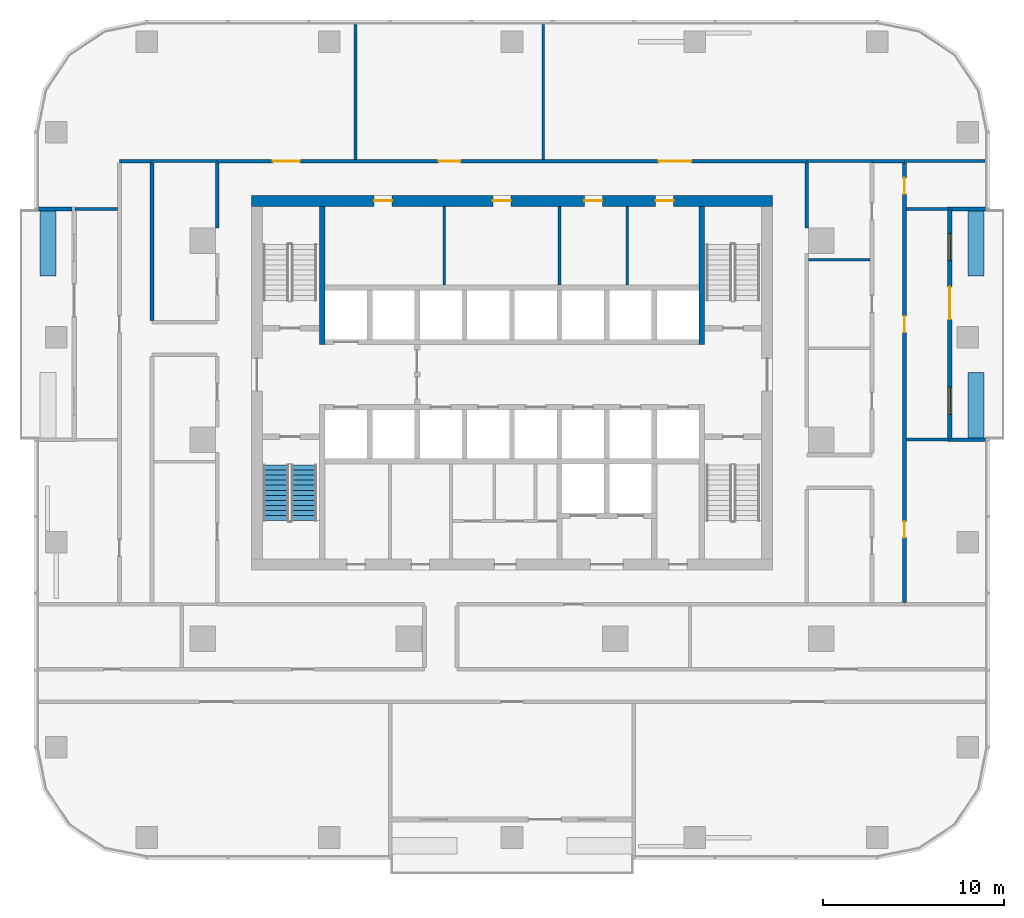
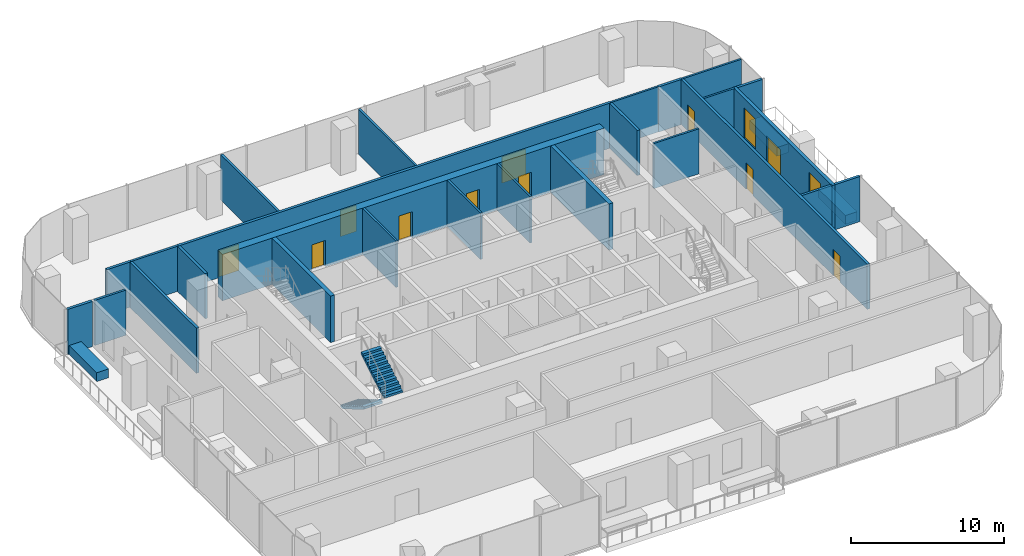
# One storey, part 10 of 15: 29 walls, 11 doors, 2 stair flights, 2 windows, 13 openings, 1 element without a shape of its own.
"""IFC4 building model written with IfcOpenShell, lengths in metres."""

from ifc_helpers import new_model, si_unit, direction, frame, frame_2d, origin, place, context, subcontext, project, spatial, polyline, rectangle, outline, extrude, material, layer, layer_set, type_object, element, fill, aggregate, save


model = new_model("IFC4")

# Units and contexts
model_context = context("Model", 3, precision=1e-05, world=origin(), true_north=direction((0.0, 1.0)))
body_context = subcontext(model_context, "Body", "Model", "MODEL_VIEW")
ifc_project = project(units=[si_unit("LENGTHUNIT", "METRE"), si_unit("AREAUNIT", "SQUARE_METRE"), si_unit("VOLUMEUNIT", "CUBIC_METRE"), si_unit("PLANEANGLEUNIT", "RADIAN"), si_unit("MASSUNIT", "GRAM", prefix="KILO")], contexts=[model_context])

# Site, building, storey
site_placement = place(None, origin())
site = spatial("IfcSite", under=ifc_project, at=site_placement, CompositionType="ELEMENT")
building_placement = place(site_placement, origin())
building = spatial("IfcBuilding", under=site, at=building_placement, Name="Mopane Tessera Tower", CompositionType="ELEMENT")
storey_placement = place(building_placement, frame((0.0, 0.0, 177.0)))
storey = spatial("IfcBuildingStorey", under=building, at=storey_placement, Name="L36", CompositionType="ELEMENT", Elevation=177.0)

# Walls
ifc_material_1 = material(Name="Fire-rated gypsum board partition")
ifc_layer_1 = layer(ifc_material_1, 0.14990234375)
ifc_layer_set_1 = layer_set([ifc_layer_1], Name="Fire-rated gypsum board partition")
wall_type_1 = type_object("IfcWallType", Name="Core room partition 150 mm", PredefinedType="PARTITIONING", material=ifc_layer_set_1)
for number, where, z_axis, x_axis, name in (
    (1, (-3.75, 8.550048828125, 0.0), (0.0, 0.0, 1.0), (0.0, 1.0, 0.0), "L36 Room partition"),
    (2, (2.625, 8.550048828125, 0.0), (0.0, 0.0, 1.0), (0.0, 1.0, 0.0), "L36 Room partition"),
    (3, (6.375, 8.550048828125, 0.0), (0.0, 0.0, 1.0), (0.0, 1.0, 0.0), "L36 Room partition"),
):
    element("IfcWall", number, at=place(storey_placement, frame(where, z_axis=z_axis, x_axis=x_axis)), inside=storey, type_object=wall_type_1, Name=name, PredefinedType="PARTITIONING", context=body_context, shape_type="SweptSolid", body=[
        extrude(rectangle(XDim=4.349853515625, YDim=0.14990234375, at=frame_2d((2.1748046875, 0.0))), origin(), (0.0, 0.0, 1.0), 3.699951171875),
    ])

# Wall, openings, doors
ifc_material_2 = material(Name="Concrete C70/85", Category="concrete")
ifc_layer_2 = layer(ifc_material_2, 0.60009765625)
ifc_layer_set_2 = layer_set([ifc_layer_2], Name="Concrete C70/85")
wall_type_2 = type_object("IfcWallType", Name="Core shear wall 600 mm", PredefinedType="SHEAR", material=ifc_layer_set_2)
wall_1_placement = place(storey_placement, frame((-14.39990234375, 13.199951171875, 0.0), z_axis=(0.0, 0.0, 1.0), x_axis=(1.0, 0.0, 0.0)))
wall_1 = element("IfcWall", 4, at=wall_1_placement, inside=storey, type_object=wall_type_2, Name="L36 Core wall north", PredefinedType="SHEAR", context=body_context, shape_type="SweptSolid", body=[
    extrude(rectangle(XDim=28.7998046875, YDim=0.60009765625, at=frame_2d((14.39990234375, 0.0))), origin(), (0.0, 0.0, 1.0), 3.699951171875),
])
opening_1_placement = place(wall_1_placement, frame((6.77490234375, 0.0, 0.0)))
opening_1 = element("IfcOpeningElement", 5, at=opening_1_placement, cuts=wall_1, Name="Opening RD1", PredefinedType="OPENING", context=body_context, shape_type="SweptSolid", body=[
    extrude(rectangle(XDim=1.0, YDim=2.10009765625, at=frame_2d((0.5, 1.050048828125))), frame((0.0, 0.31201171875, 0.0), z_axis=(0.0, -1.0, 0.0), x_axis=(1.0, 0.0, 0.0)), (0.0, 0.0, 1.0), 0.6240234375),
])
opening_2_placement = place(wall_1_placement, frame((13.33740234375, 0.0, 0.0)))
opening_2 = element("IfcOpeningElement", 6, at=opening_2_placement, cuts=wall_1, Name="Opening RD1", PredefinedType="OPENING", context=body_context, shape_type="SweptSolid", body=[
    extrude(rectangle(XDim=1.0, YDim=2.10009765625, at=frame_2d((0.5, 1.050048828125))), frame((0.0, 0.31201171875, 0.0), z_axis=(0.0, -1.0, 0.0), x_axis=(1.0, 0.0, 0.0)), (0.0, 0.0, 1.0), 0.6240234375),
])
opening_3_placement = place(wall_1_placement, frame((18.39990234375, 0.0, 0.0)))
opening_3 = element("IfcOpeningElement", 7, at=opening_3_placement, cuts=wall_1, Name="Opening RD1", PredefinedType="OPENING", context=body_context, shape_type="SweptSolid", body=[
    extrude(rectangle(XDim=1.0, YDim=2.10009765625, at=frame_2d((0.5, 1.050048828125))), frame((0.0, 0.31201171875, 0.0), z_axis=(0.0, -1.0, 0.0), x_axis=(1.0, 0.0, 0.0)), (0.0, 0.0, 1.0), 0.6240234375),
])
opening_4_placement = place(wall_1_placement, frame((22.33740234375, 0.0, 0.0)))
opening_4 = element("IfcOpeningElement", 8, at=opening_4_placement, cuts=wall_1, Name="Opening RD1", PredefinedType="OPENING", context=body_context, shape_type="SweptSolid", body=[
    extrude(rectangle(XDim=1.0, YDim=2.10009765625, at=frame_2d((0.5, 1.050048828125))), frame((0.0, 0.31201171875, 0.0), z_axis=(0.0, -1.0, 0.0), x_axis=(1.0, 0.0, 0.0)), (0.0, 0.0, 1.0), 0.6240234375),
])
ifc_material_3 = material(Name="Timber door", Category="wood")
door_type_1 = type_object("IfcDoorType", Name="Core room door 1000 x 2100", OperationType="SINGLE_SWING_LEFT", PredefinedType="DOOR", material=ifc_material_3)
door_1_placement = place(opening_1_placement, origin())
door_1 = element("IfcDoor", 9, at=door_1_placement, inside=storey, type_object=door_type_1, Name="L36 Room door", OperationType="SINGLE_SWING_LEFT", OverallHeight=2.10009765625, OverallWidth=1.0, PredefinedType="DOOR", context=body_context, shape_type="SweptSolid", body=[
    extrude(rectangle(XDim=1.0, YDim=2.10009765625, at=frame_2d((0.5, 1.050048828125))), frame((0.0, 0.02490234375, 0.0), z_axis=(0.0, -1.0, 0.0), x_axis=(1.0, 0.0, 0.0)), (0.0, 0.0, 1.0), 0.050048828125),
])
fill(opening_1, door_1)
door_2_placement = place(opening_2_placement, origin())
door_2 = element("IfcDoor", 10, at=door_2_placement, inside=storey, type_object=door_type_1, Name="L36 Room door", OperationType="SINGLE_SWING_LEFT", OverallHeight=2.10009765625, OverallWidth=1.0, PredefinedType="DOOR", context=body_context, shape_type="SweptSolid", body=[
    extrude(rectangle(XDim=1.0, YDim=2.10009765625, at=frame_2d((0.5, 1.050048828125))), frame((0.0, 0.02490234375, 0.0), z_axis=(0.0, -1.0, 0.0), x_axis=(1.0, 0.0, 0.0)), (0.0, 0.0, 1.0), 0.050048828125),
])
fill(opening_2, door_2)
door_3_placement = place(opening_3_placement, origin())
door_3 = element("IfcDoor", 11, at=door_3_placement, inside=storey, type_object=door_type_1, Name="L36 Room door", OperationType="SINGLE_SWING_LEFT", OverallHeight=2.10009765625, OverallWidth=1.0, PredefinedType="DOOR", context=body_context, shape_type="SweptSolid", body=[
    extrude(rectangle(XDim=1.0, YDim=2.10009765625, at=frame_2d((0.5, 1.050048828125))), frame((0.0, 0.02490234375, 0.0), z_axis=(0.0, -1.0, 0.0), x_axis=(1.0, 0.0, 0.0)), (0.0, 0.0, 1.0), 0.050048828125),
])
fill(opening_3, door_3)
door_4_placement = place(opening_4_placement, origin())
door_4 = element("IfcDoor", 12, at=door_4_placement, inside=storey, type_object=door_type_1, Name="L36 Room door", OperationType="SINGLE_SWING_LEFT", OverallHeight=2.10009765625, OverallWidth=1.0, PredefinedType="DOOR", context=body_context, shape_type="SweptSolid", body=[
    extrude(rectangle(XDim=1.0, YDim=2.10009765625, at=frame_2d((0.5, 1.050048828125))), frame((0.0, 0.02490234375, 0.0), z_axis=(0.0, -1.0, 0.0), x_axis=(1.0, 0.0, 0.0)), (0.0, 0.0, 1.0), 0.050048828125),
])
fill(opening_4, door_4)

# Walls
ifc_material_4 = material(Name="Concrete C60/75", Category="concrete")
ifc_layer_3 = layer(ifc_material_4, 0.300048828125)
ifc_layer_set_3 = layer_set([ifc_layer_3], Name="Concrete C60/75")
wall_type_3 = type_object("IfcWallType", Name="Core spine wall 300 mm", PredefinedType="SHEAR", material=ifc_layer_set_3)
for number, where, z_axis, x_axis, name in (
    (13, (-10.5, 5.25, 0.0), (0.0, 0.0, 1.0), (0.0, 1.0, 0.0), "L36 Core spine wall"),
    (14, (10.5, 5.25, 0.0), (0.0, 0.0, 1.0), (0.0, 1.0, 0.0), "L36 Core spine wall"),
):
    element("IfcWall", number, at=place(storey_placement, frame(where, z_axis=z_axis, x_axis=x_axis)), inside=storey, type_object=wall_type_3, Name=name, PredefinedType="SHEAR", context=body_context, shape_type="SweptSolid", body=[
        extrude(rectangle(XDim=7.64990234375, YDim=0.300048828125, at=frame_2d((3.824951171875, 0.0))), origin(), (0.0, 0.0, 1.0), 3.699951171875),
    ])
ifc_material_5 = material(Name="Gypsum board on staggered steel studs, double layer each face, acoustic mineral wool infill", Category="steel")
ifc_layer_4 = layer(ifc_material_5, 0.175048828125)
ifc_layer_set_4 = layer_set([ifc_layer_4], Name="Gypsum board on staggered steel studs, double layer each face, acoustic mineral wool infill")
wall_type_4 = type_object("IfcWallType", Name="Gypsum board acoustic partition 175, rated EI 60", PredefinedType="PARTITIONING", material=ifc_layer_set_4)
for number, where, z_axis, x_axis, name in (
    (15, (21.800048828125, 0.0, 0.0), (0.0, 0.0, 1.0), (1.0, 0.0, 0.0), "Partition L36:016"),
    (16, (-24.14990234375, 12.75, 0.0), (0.0, 0.0, 1.0), (1.0, 0.0, 0.0), "Partition L36:022"),
):
    element("IfcWall", number, at=place(storey_placement, frame(where, z_axis=z_axis, x_axis=x_axis)), inside=storey, type_object=wall_type_4, Name=name, PredefinedType="PARTITIONING", context=body_context, shape_type="SweptSolid", body=[
        extrude(rectangle(XDim=2.349853515625, YDim=0.175048828125, at=frame_2d((1.1748046875, 0.0))), origin(), (0.0, 0.0, 1.0), 3.60009765625),
    ])
wall_2_placement = place(storey_placement, frame((-19.89990234375, 15.39990234375, 0.0), z_axis=(0.0, 0.0, 1.0), x_axis=(1.0, 0.0, 0.0)))
element("IfcWall", 17, at=wall_2_placement, inside=storey, type_object=wall_type_4, Name="Partition L36:025", PredefinedType="PARTITIONING", context=body_context, shape_type="SweptSolid", body=[
    extrude(rectangle(XDim=3.599853515625, YDim=0.175048828125, at=frame_2d((1.7998046875, 0.0))), origin(), (0.0, 0.0, 1.0), 3.60009765625),
])
wall_3_placement = place(storey_placement, frame((-8.64990234375, 15.5, 0.0), z_axis=(0.0, 0.0, 1.0), x_axis=(0.0, 1.0, 0.0)))
element("IfcWall", 18, at=wall_3_placement, inside=storey, type_object=wall_type_4, Name="Partition L36:037", PredefinedType="PARTITIONING", context=body_context, shape_type="SweptSolid", body=[
    extrude(rectangle(XDim=7.449951171875, YDim=0.175048828125, at=frame_2d((3.72509765625, 0.0))), origin(), (0.0, 0.0, 1.0), 3.60009765625),
])
ifc_material_6 = material(Name="Gypsum board on steel studs, two layers each face, mineral wool infill", Category="steel")
ifc_layer_5 = layer(ifc_material_6, 0.199951171875)
ifc_layer_set_5 = layer_set([ifc_layer_5], Name="Gypsum board on steel studs, two layers each face, mineral wool infill")
wall_type_5 = type_object("IfcWallType", Name="Gypsum board corridor wall 200, rated EI 60", PredefinedType="PARTITIONING", material=ifc_layer_set_5)
wall_4_placement = place(storey_placement, frame((-21.699951171875, 15.39990234375, 0.0), z_axis=(0.0, 0.0, 1.0), x_axis=(1.0, 0.0, 0.0)))
element("IfcWall", 19, at=wall_4_placement, inside=storey, type_object=wall_type_5, Name="Partition L36:026", PredefinedType="PARTITIONING", context=body_context, shape_type="SweptSolid", body=[
    extrude(rectangle(XDim=1.800048828125, YDim=0.199951171875, at=frame_2d((0.89990234375, 0.0))), origin(), (0.0, 0.0, 1.0), 3.60009765625),
])

# Wall, openings, doors
wall_5_placement = place(storey_placement, frame((-16.300048828125, 15.39990234375, 0.0), z_axis=(0.0, 0.0, 1.0), x_axis=(1.0, 0.0, 0.0)))
wall_5 = element("IfcWall", 20, at=wall_5_placement, inside=storey, type_object=wall_type_5, Name="Partition L36:027", PredefinedType="PARTITIONING", context=body_context, shape_type="SweptSolid", body=[
    extrude(rectangle(XDim=32.60009765625, YDim=0.199951171875, at=frame_2d((16.300048828125, 0.0))), origin(), (0.0, 0.0, 1.0), 3.60009765625),
])
opening_5_placement = place(wall_5_placement, frame((24.4150390625, 0.0, 0.0)))
opening_5 = element("IfcOpeningElement", 21, at=opening_5_placement, cuts=wall_5, Name="Opening L36-15", PredefinedType="OPENING", context=body_context, shape_type="SweptSolid", body=[
    extrude(rectangle(XDim=1.800048828125, YDim=2.10009765625, at=frame_2d((0.89990234375, 1.050048828125))), frame((0.0, 0.112060546875, 0.0), z_axis=(0.0, -1.0, 0.0), x_axis=(1.0, 0.0, 0.0)), (0.0, 0.0, 1.0), 0.223876953125),
])
opening_6_placement = place(wall_5_placement, frame((12.239990234375, 0.0, 0.0)))
opening_6 = element("IfcOpeningElement", 22, at=opening_6_placement, cuts=wall_5, Name="Opening L36-20", PredefinedType="OPENING", context=body_context, shape_type="SweptSolid", body=[
    extrude(rectangle(XDim=1.199951171875, YDim=2.10009765625, at=frame_2d((0.60009765625, 1.050048828125))), frame((0.0, 0.112060546875, 0.0), z_axis=(0.0, -1.0, 0.0), x_axis=(1.0, 0.0, 0.0)), (0.0, 0.0, 1.0), 0.223876953125),
])
opening_7_placement = place(wall_5_placement, frame((3.074951171875, 0.0, 0.0)))
opening_7 = element("IfcOpeningElement", 23, at=opening_7_placement, cuts=wall_5, Name="Opening L36-21", PredefinedType="OPENING", context=body_context, shape_type="SweptSolid", body=[
    extrude(rectangle(XDim=1.5, YDim=2.10009765625, at=frame_2d((0.75, 1.050048828125))), frame((0.0, 0.112060546875, 0.0), z_axis=(0.0, -1.0, 0.0), x_axis=(1.0, 0.0, 0.0)), (0.0, 0.0, 1.0), 0.223876953125),
])
ifc_material_7 = material(Name="Timber veneered steel-framed fire door", Category="steel")
door_type_2 = type_object("IfcDoorType", Name="Fire door FD60 1200 x 2100", OperationType="SINGLE_SWING_LEFT", PredefinedType="DOOR", material=ifc_material_7)
door_5_placement = place(opening_6_placement, origin())
door_5 = element("IfcDoor", 24, at=door_5_placement, inside=storey, type_object=door_type_2, Name="Door L36-20", ObjectType="D15A", OperationType="SINGLE_SWING_LEFT", OverallHeight=2.10009765625, OverallWidth=1.199951171875, PredefinedType="DOOR", context=body_context, shape_type="SweptSolid", body=[
    extrude(rectangle(XDim=1.199951171875, YDim=2.10009765625, at=frame_2d((0.60009765625, 1.050048828125))), frame((0.0, 0.02490234375, 0.0), z_axis=(0.0, -1.0, 0.0), x_axis=(1.0, 0.0, 0.0)), (0.0, 0.0, 1.0), 0.050048828125),
])
fill(opening_6, door_5)
ifc_material_8 = material(Name="Timber veneered steel-framed fire door", Category="steel")
door_type_3 = type_object("IfcDoorType", Name="Fire door pair FD60 1500 x 2100", OperationType="DOUBLE_DOOR_SINGLE_SWING", PredefinedType="DOOR", material=ifc_material_8)
door_6_placement = place(opening_7_placement, origin())
door_6 = element("IfcDoor", 25, at=door_6_placement, inside=storey, type_object=door_type_3, Name="Door L36-21", ObjectType="D17A", OperationType="DOUBLE_DOOR_SINGLE_SWING", OverallHeight=2.10009765625, OverallWidth=1.5, PredefinedType="DOOR", context=body_context, shape_type="SweptSolid", body=[
    extrude(rectangle(XDim=1.5, YDim=2.10009765625, at=frame_2d((0.75, 1.050048828125))), frame((0.0, 0.02490234375, 0.0), z_axis=(0.0, -1.0, 0.0), x_axis=(1.0, 0.0, 0.0)), (0.0, 0.0, 1.0), 0.050048828125),
])
fill(opening_7, door_6)
ifc_material_9 = material(Name="Timber veneered steel-framed fire door", Category="steel")
door_type_4 = type_object("IfcDoorType", Name="Fire door pair FD60 1800 x 2100", OperationType="DOUBLE_DOOR_SINGLE_SWING", PredefinedType="DOOR", material=ifc_material_9)
door_7_placement = place(opening_5_placement, origin())
door_7 = element("IfcDoor", 26, at=door_7_placement, inside=storey, type_object=door_type_4, Name="Door L36-15", ObjectType="D20A", OperationType="DOUBLE_DOOR_SINGLE_SWING", OverallHeight=2.10009765625, OverallWidth=1.800048828125, PredefinedType="DOOR", context=body_context, shape_type="SweptSolid", body=[
    extrude(rectangle(XDim=1.800048828125, YDim=2.10009765625, at=frame_2d((0.89990234375, 1.050048828125))), frame((0.0, 0.02490234375, 0.0), z_axis=(0.0, -1.0, 0.0), x_axis=(1.0, 0.0, 0.0)), (0.0, 0.0, 1.0), 0.050048828125),
])
fill(opening_5, door_7)

# Walls
wall_6_placement = place(storey_placement, frame((19.89990234375, 15.39990234375, 0.0), z_axis=(0.0, 0.0, 1.0), x_axis=(1.0, 0.0, 0.0)))
element("IfcWall", 27, at=wall_6_placement, inside=storey, type_object=wall_type_5, Name="Partition L36:028", PredefinedType="PARTITIONING", context=body_context, shape_type="SweptSolid", body=[
    extrude(rectangle(XDim=1.800048828125, YDim=0.199951171875, at=frame_2d((0.89990234375, 0.0))), origin(), (0.0, 0.0, 1.0), 3.60009765625),
])
wall_7_placement = place(storey_placement, frame((-19.89990234375, 6.60009765625, 0.0), z_axis=(0.0, 0.0, 1.0), x_axis=(0.0, 1.0, 0.0)))
element("IfcWall", 28, at=wall_7_placement, inside=storey, type_object=wall_type_5, Name="Partition L36:031", PredefinedType="PARTITIONING", context=body_context, shape_type="SweptSolid", body=[
    extrude(rectangle(XDim=8.699951171875, YDim=0.199951171875, at=frame_2d((4.35009765625, 0.0))), origin(), (0.0, 0.0, 1.0), 3.60009765625),
])
for number, where, z_axis, x_axis, name in (
    (29, (-16.300048828125, 11.699951171875, 0.0), (0.0, 0.0, 1.0), (0.0, 1.0, 0.0), "Partition L36:036"),
    (30, (16.300048828125, 11.699951171875, 0.0), (0.0, 0.0, 1.0), (0.0, 1.0, 0.0), "Partition L36:046"),
):
    element("IfcWall", number, at=place(storey_placement, frame(where, z_axis=z_axis, x_axis=x_axis)), inside=storey, type_object=wall_type_5, Name=name, PredefinedType="PARTITIONING", context=body_context, shape_type="SweptSolid", body=[
        extrude(rectangle(XDim=3.60009765625, YDim=0.199951171875, at=frame_2d((1.800048828125, 0.0))), origin(), (0.0, 0.0, 1.0), 3.60009765625),
    ])

# Wall, openings, doors
wall_8_placement = place(storey_placement, frame((21.699951171875, -9.0, 0.0), z_axis=(0.0, 0.0, 1.0), x_axis=(0.0, 1.0, 0.0)))
wall_8 = element("IfcWall", 31, at=wall_8_placement, inside=storey, type_object=wall_type_5, Name="Partition L36:049", PredefinedType="PARTITIONING", context=body_context, shape_type="SweptSolid", body=[
    extrude(rectangle(XDim=24.300048828125, YDim=0.199951171875, at=frame_2d((12.14990234375, 0.0))), origin(), (0.0, 0.0, 1.0), 3.60009765625),
])
opening_8_placement = place(wall_8_placement, frame((3.58251953125, 0.0, 0.0)))
opening_8 = element("IfcOpeningElement", 32, at=opening_8_placement, cuts=wall_8, Name="Opening L36-02", PredefinedType="OPENING", context=body_context, shape_type="SweptSolid", body=[
    extrude(rectangle(XDim=0.89990234375, YDim=2.10009765625, at=frame_2d((0.449951171875, 1.050048828125))), frame((0.0, 0.112060546875, 0.0), z_axis=(0.0, -1.0, 0.0), x_axis=(1.0, 0.0, 0.0)), (0.0, 0.0, 1.0), 0.223876953125),
])
opening_9_placement = place(wall_8_placement, frame((22.574951171875, 0.0, 0.0)))
opening_9 = element("IfcOpeningElement", 33, at=opening_9_placement, cuts=wall_8, Name="Opening L36-03", PredefinedType="OPENING", context=body_context, shape_type="SweptSolid", body=[
    extrude(rectangle(XDim=0.89990234375, YDim=2.10009765625, at=frame_2d((0.449951171875, 1.050048828125))), frame((0.0, 0.112060546875, 0.0), z_axis=(0.0, -1.0, 0.0), x_axis=(1.0, 0.0, 0.0)), (0.0, 0.0, 1.0), 0.223876953125),
])
opening_10_placement = place(wall_8_placement, frame((14.925048828125, 0.0, 0.0)))
opening_10 = element("IfcOpeningElement", 34, at=opening_10_placement, cuts=wall_8, Name="Opening L36-09", PredefinedType="OPENING", context=body_context, shape_type="SweptSolid", body=[
    extrude(rectangle(XDim=0.89990234375, YDim=2.10009765625, at=frame_2d((0.449951171875, 1.050048828125))), frame((0.0, 0.112060546875, 0.0), z_axis=(0.0, -1.0, 0.0), x_axis=(1.0, 0.0, 0.0)), (0.0, 0.0, 1.0), 0.223876953125),
])
ifc_material_10 = material(Name="Timber veneered steel-framed fire door", Category="steel")
door_type_5 = type_object("IfcDoorType", Name="Fire door FD60 900 x 2100", OperationType="SINGLE_SWING_LEFT", PredefinedType="DOOR", material=ifc_material_10)
door_8_placement = place(opening_8_placement, origin())
door_8 = element("IfcDoor", 35, at=door_8_placement, inside=storey, type_object=door_type_5, Name="Door L36-02", ObjectType="D10A", OperationType="SINGLE_SWING_RIGHT", OverallHeight=2.10009765625, OverallWidth=0.89990234375, PredefinedType="DOOR", context=body_context, shape_type="SweptSolid", body=[
    extrude(rectangle(XDim=0.89990234375, YDim=2.10009765625, at=frame_2d((0.449951171875, 1.050048828125))), frame((0.0, 0.02490234375, 0.0), z_axis=(0.0, -1.0, 0.0), x_axis=(1.0, 0.0, 0.0)), (0.0, 0.0, 1.0), 0.050048828125),
])
fill(opening_8, door_8)
door_9_placement = place(opening_9_placement, origin())
door_9 = element("IfcDoor", 36, at=door_9_placement, inside=storey, type_object=door_type_5, Name="Door L36-03", ObjectType="D10A", OperationType="SINGLE_SWING_LEFT", OverallHeight=2.10009765625, OverallWidth=0.89990234375, PredefinedType="DOOR", context=body_context, shape_type="SweptSolid", body=[
    extrude(rectangle(XDim=0.89990234375, YDim=2.10009765625, at=frame_2d((0.449951171875, 1.050048828125))), frame((0.0, 0.02490234375, 0.0), z_axis=(0.0, -1.0, 0.0), x_axis=(1.0, 0.0, 0.0)), (0.0, 0.0, 1.0), 0.050048828125),
])
fill(opening_9, door_9)
door_10_placement = place(opening_10_placement, origin())
door_10 = element("IfcDoor", 37, at=door_10_placement, inside=storey, type_object=door_type_5, Name="Door L36-09", ObjectType="D10A", OperationType="SINGLE_SWING_LEFT", OverallHeight=2.10009765625, OverallWidth=0.89990234375, PredefinedType="DOOR", context=body_context, shape_type="SweptSolid", body=[
    extrude(rectangle(XDim=0.89990234375, YDim=2.10009765625, at=frame_2d((0.449951171875, 1.050048828125))), frame((0.0, 0.02490234375, 0.0), z_axis=(0.0, -1.0, 0.0), x_axis=(1.0, 0.0, 0.0)), (0.0, 0.0, 1.0), 0.050048828125),
])
fill(opening_10, door_10)

# Walls
ifc_material_11 = material(Name="Gypsum board on steel studs, mineral wool infill", Category="steel")
ifc_layer_6 = layer(ifc_material_11, 0.14990234375)
ifc_layer_set_6 = layer_set([ifc_layer_6], Name="Gypsum board on steel studs, mineral wool infill")
wall_type_6 = type_object("IfcWallType", Name="Gypsum board partition 150, rated EI 60", PredefinedType="PARTITIONING", material=ifc_layer_set_6)
wall_9_placement = place(storey_placement, frame((16.39990234375, 9.945068359375, 0.0), z_axis=(0.0, 0.0, 1.0), x_axis=(1.0, 0.0, 0.0)))
element("IfcWall", 38, at=wall_9_placement, inside=storey, type_object=wall_type_6, Name="Partition L36:020", PredefinedType="PARTITIONING", context=body_context, shape_type="SweptSolid", body=[
    extrude(rectangle(XDim=3.400146484375, YDim=0.14990234375, at=frame_2d((1.7001953125, 0.0))), origin(), (0.0, 0.0, 1.0), 3.60009765625),
])
wall_10_placement = place(storey_placement, frame((21.800048828125, 12.75, 0.0), z_axis=(0.0, 0.0, 1.0), x_axis=(1.0, 0.0, 0.0)))
element("IfcWall", 39, at=wall_10_placement, inside=storey, type_object=wall_type_6, Name="Partition L36:021", PredefinedType="PARTITIONING", context=body_context, shape_type="SweptSolid", body=[
    extrude(rectangle(XDim=2.349853515625, YDim=0.14990234375, at=frame_2d((1.1748046875, 0.0))), origin(), (0.0, 0.0, 1.0), 3.60009765625),
])
wall_11_placement = place(storey_placement, frame((16.300048828125, 15.39990234375, 0.0), z_axis=(0.0, 0.0, 1.0), x_axis=(1.0, 0.0, 0.0)))
element("IfcWall", 40, at=wall_11_placement, inside=storey, type_object=wall_type_6, Name="Partition L36:023", PredefinedType="PARTITIONING", context=body_context, shape_type="SweptSolid", body=[
    extrude(rectangle(XDim=3.599853515625, YDim=0.14990234375, at=frame_2d((1.7998046875, 0.0))), origin(), (0.0, 0.0, 1.0), 3.60009765625),
])
wall_12_placement = place(storey_placement, frame((21.699951171875, 15.39990234375, 0.0), z_axis=(0.0, 0.0, 1.0), x_axis=(1.0, 0.0, 0.0)))
element("IfcWall", 41, at=wall_12_placement, inside=storey, type_object=wall_type_6, Name="Partition L36:024", PredefinedType="PARTITIONING", context=body_context, shape_type="SweptSolid", body=[
    extrude(rectangle(XDim=4.449951171875, YDim=0.14990234375, at=frame_2d((2.22509765625, 0.0))), origin(), (0.0, 0.0, 1.0), 3.60009765625),
])
wall_13_placement = place(storey_placement, frame((1.72998046875, 15.5, 0.0), z_axis=(0.0, 0.0, 1.0), x_axis=(0.0, 1.0, 0.0)))
element("IfcWall", 42, at=wall_13_placement, inside=storey, type_object=wall_type_6, Name="Partition L36:041", PredefinedType="PARTITIONING", context=body_context, shape_type="SweptSolid", body=[
    extrude(rectangle(XDim=7.449951171875, YDim=0.14990234375, at=frame_2d((3.72509765625, 0.0))), origin(), (0.0, 0.0, 1.0), 3.60009765625),
])
ifc_material_12 = material(Name="Reinforced concrete C32/40 with waterproofing", Category="concrete")
ifc_layer_7 = layer(ifc_material_12, 0.89990234375)
ifc_layer_set_7 = layer_set([ifc_layer_7], Name="Reinforced concrete C32/40 with waterproofing")
wall_type_7 = type_object("IfcWallType", Name="Planter trough 3600 x 900", PredefinedType="STANDARD", material=ifc_layer_set_7)
for number, where, z_axis, x_axis, name in (
    (43, (-25.64990234375, 12.64990234375, 0.0), (0.0, 0.0, 1.0), (0.0, -1.0, 0.0), "e:nw:L36:N1:pl0"),
    (44, (25.64990234375, 0.10009765625, 0.0), (0.0, 0.0, 1.0), (0.0, 1.0, 0.0), "e:nw:L36:N3:pl0"),
    (45, (25.64990234375, 9.050048828125, 0.0), (0.0, 0.0, 1.0), (0.0, 1.0, 0.0), "e:nw:L36:N3:pl1"),
):
    element("IfcWall", number, at=place(storey_placement, frame(where, z_axis=z_axis, x_axis=x_axis)), inside=storey, type_object=wall_type_7, Name=name, PredefinedType="STANDARD", context=body_context, shape_type="SweptSolid", body=[
        extrude(rectangle(XDim=3.599853515625, YDim=0.89990234375, at=frame_2d((1.7998046875, 0.0))), origin(), (0.0, 0.0, 1.0), 0.699951171875),
    ])
ifc_material_13 = material(Name="Blockwork with glazed tile facing", Category="masonry")
ifc_layer_8 = layer(ifc_material_13, 0.199951171875)
ifc_layer_set_8 = layer_set([ifc_layer_8], Name="Blockwork with glazed tile facing")
wall_type_8 = type_object("IfcWallType", Name="Terrace cheek wall 200", PredefinedType="STANDARD", material=ifc_layer_set_8)
for number, where, z_axis, x_axis, name in (
    (46, (-26.199951171875, 12.75, 0.0), (0.0, 0.0, 1.0), (1.0, 0.0, 0.0), "e:nw:L36:N1:cheeka"),
    (47, (26.199951171875, 0.0, 0.0), (0.0, 0.0, 1.0), (-1.0, 0.0, 0.0), "e:nw:L36:N3:cheeka"),
    (48, (26.199951171875, 12.75, 0.0), (0.0, 0.0, 1.0), (-1.0, 0.0, 0.0), "e:nw:L36:N3:cheekb"),
):
    element("IfcWall", number, at=place(storey_placement, frame(where, z_axis=z_axis, x_axis=x_axis)), inside=storey, type_object=wall_type_8, Name=name, PredefinedType="STANDARD", context=body_context, shape_type="SweptSolid", body=[
        extrude(rectangle(XDim=1.875, YDim=0.199951171875, at=frame_2d((0.9375, 0.0))), origin(), (0.0, 0.0, 1.0), 3.60009765625),
    ])

# Wall, openings, windows, door
ifc_material_14 = material(Name="Blockwork with ochre glazed tile facing", Category="masonry")
ifc_layer_9 = layer(ifc_material_14, 0.25)
ifc_layer_set_9 = layer_set([ifc_layer_9], Name="Blockwork with ochre glazed tile facing")
wall_type_9 = type_object("IfcWallType", Name="Tile-clad external wall 250, ochre", PredefinedType="STANDARD", material=ifc_layer_set_9)
wall_14_placement = place(storey_placement, frame((24.199951171875, -0.10009765625, 0.0), z_axis=(0.0, 0.0, 1.0), x_axis=(0.0, 1.0, 0.0)))
wall_14 = element("IfcWall", 49, at=wall_14_placement, inside=storey, type_object=wall_type_9, Name="e:nw:L36:N3:back", PredefinedType="STANDARD", context=body_context, shape_type="SweptSolid", body=[
    extrude(rectangle(XDim=12.9501953125, YDim=0.25, at=frame_2d((6.47509765625, 0.0))), origin(), (0.0, 0.0, 1.0), 3.60009765625),
])
opening_11_placement = place(wall_14_placement, frame((1.5, 0.0, 0.449951171875)))
opening_11 = element("IfcOpeningElement", 50, at=opening_11_placement, cuts=wall_14, Name="Opening NW363A", PredefinedType="OPENING", context=body_context, shape_type="SweptSolid", body=[
    extrude(rectangle(XDim=1.5, YDim=2.39990234375, at=frame_2d((0.75, 1.199951171875))), frame((0.0, 0.136962890625, 0.0), z_axis=(0.0, -1.0, 0.0), x_axis=(1.0, 0.0, 0.0)), (0.0, 0.0, 1.0), 0.27392578125),
])
opening_12_placement = place(wall_14_placement, frame((6.75, 0.0, 0.0)))
opening_12 = element("IfcOpeningElement", 51, at=opening_12_placement, cuts=wall_14, Name="Opening ND363", PredefinedType="OPENING", context=body_context, shape_type="SweptSolid", body=[
    extrude(rectangle(XDim=1.800048828125, YDim=2.39990234375, at=frame_2d((0.89990234375, 1.199951171875))), frame((0.0, 0.136962890625, 0.0), z_axis=(0.0, -1.0, 0.0), x_axis=(1.0, 0.0, 0.0)), (0.0, 0.0, 1.0), 0.27392578125),
])
opening_13_placement = place(wall_14_placement, frame((10.0, 0.0, 0.449951171875)))
opening_13 = element("IfcOpeningElement", 52, at=opening_13_placement, cuts=wall_14, Name="Opening NW363B", PredefinedType="OPENING", context=body_context, shape_type="SweptSolid", body=[
    extrude(rectangle(XDim=1.5, YDim=2.39990234375, at=frame_2d((0.75, 1.199951171875))), frame((0.0, 0.136962890625, 0.0), z_axis=(0.0, -1.0, 0.0), x_axis=(1.0, 0.0, 0.0)), (0.0, 0.0, 1.0), 0.27392578125),
])
ifc_material_15 = material(Name="Clear laminated glass", Category="glass")
window_type = type_object("IfcWindowType", Name="Fixed window 1500 x 2400", PartitioningType="SINGLE_PANEL", PredefinedType="WINDOW", material=ifc_material_15)
window_1_placement = place(opening_11_placement, origin())
window_1 = element("IfcWindow", 53, at=window_1_placement, inside=storey, type_object=window_type, Name="e:nw:L36:N3:win0", OverallHeight=2.39990234375, OverallWidth=1.5, PartitioningType="SINGLE_PANEL", PredefinedType="WINDOW", context=body_context, shape_type="SweptSolid", body=[
    extrude(rectangle(XDim=1.5, YDim=2.39990234375, at=frame_2d((0.75, 1.199951171875))), frame((0.0, 0.030029296875, 0.0), z_axis=(0.0, -1.0, 0.0), x_axis=(1.0, 0.0, 0.0)), (0.0, 0.0, 1.0), 0.06005859375),
])
fill(opening_11, window_1)
window_2_placement = place(opening_13_placement, origin())
window_2 = element("IfcWindow", 54, at=window_2_placement, inside=storey, type_object=window_type, Name="e:nw:L36:N3:win2", OverallHeight=2.39990234375, OverallWidth=1.5, PartitioningType="SINGLE_PANEL", PredefinedType="WINDOW", context=body_context, shape_type="SweptSolid", body=[
    extrude(rectangle(XDim=1.5, YDim=2.39990234375, at=frame_2d((0.75, 1.199951171875))), frame((0.0, 0.030029296875, 0.0), z_axis=(0.0, -1.0, 0.0), x_axis=(1.0, 0.0, 0.0)), (0.0, 0.0, 1.0), 0.06005859375),
])
fill(opening_13, window_2)
ifc_material_16 = material(Name="Aluminium and clear glass", Category="aluminium")
door_type_6 = type_object("IfcDoorType", Name="Terrace double door 1800 x 2400", OperationType="DOUBLE_DOOR_SINGLE_SWING", PredefinedType="DOOR", material=ifc_material_16)
door_11_placement = place(opening_12_placement, origin())
door_11 = element("IfcDoor", 55, at=door_11_placement, inside=storey, type_object=door_type_6, Name="e:nw:L36:N3:door", ObjectType="D1", OperationType="DOUBLE_DOOR_SINGLE_SWING", OverallHeight=2.39990234375, OverallWidth=1.800048828125, PredefinedType="DOOR", context=body_context, shape_type="SweptSolid", body=[
    extrude(rectangle(XDim=1.800048828125, YDim=2.39990234375, at=frame_2d((0.89990234375, 1.199951171875))), frame((0.0, 0.02490234375, 0.0), z_axis=(0.0, -1.0, 0.0), x_axis=(1.0, 0.0, 0.0)), (0.0, 0.0, 1.0), 0.050048828125),
])
fill(opening_12, door_11)

# Stair, stair flights
ifc_material_17 = material(Name="Concrete C50/60", Category="concrete")
stair_type = type_object("IfcStairType", Name="Escape stair 1400 mm, riser 167 mm", PredefinedType="HALF_TURN_STAIR", material=ifc_material_17)
stair_placement = place(storey_placement, origin())
stair = element("IfcStair", 56, at=stair_placement, inside=storey, type_object=stair_type, Name="L36 Escape stair south-west", PredefinedType="HALF_TURN_STAIR")
ifc_material_18 = material(Name="Concrete C50/60", Category="concrete")
stair_flight_type = type_object("IfcStairFlightType", Name="Escape stair flight 1400 mm", PredefinedType="STRAIGHT", material=ifc_material_18)
stair_flight_1_placement = place(storey_placement, frame((-13.050048828125, -1.39990234375, 0.0), z_axis=(0.0, 0.0, 1.0), x_axis=(0.0, -1.0, 0.0)))
stair_flight_1 = element("IfcStairFlight", 57, at=stair_flight_1_placement, type_object=stair_flight_type, Name="ST1 flight 1", NumberOfRisers=12, NumberOfTreads=11, PredefinedType="STRAIGHT", RiserHeight=0.166666667, TreadLength=0.28, context=body_context, shape_type="SweptSolid", body=[
    extrude(outline(polyline([(0.0, 0.0), (0.0, 0.166748046875), (0.280029296875, 0.166748046875), (0.280029296875, 0.333251953125), (0.56005859375, 0.333251953125), (0.56005859375, 0.5), (0.840087890625, 0.5), (0.840087890625, 0.666748046875), (1.1201171875, 0.666748046875), (1.1201171875, 0.833251953125), (1.39990234375, 0.833251953125), (1.39990234375, 1.0), (1.679931640625, 1.0), (1.679931640625, 1.166748046875), (1.9599609375, 1.166748046875), (1.9599609375, 1.333251953125), (2.239990234375, 1.333251953125), (2.239990234375, 1.5), (2.52001953125, 1.5), (2.52001953125, 1.666748046875), (2.800048828125, 1.666748046875), (2.800048828125, 1.833251953125), (3.080078125, 1.833251953125), (3.080078125, 2.0), (3.080078125, 1.658935546875), (0.29296875, 0.0), (0.0, 0.0)])), frame((0.0, 0.699951171875, 0.0), z_axis=(0.0, -1.0, 0.0), x_axis=(1.0, 0.0, 0.0)), (0.0, 0.0, 1.0), 1.39990234375),
])
stair_flight_2_placement = place(storey_placement, frame((-11.5, -4.47998046875, 2.0), z_axis=(0.0, 0.0, 1.0), x_axis=(0.0, 1.0, 0.0)))
stair_flight_2 = element("IfcStairFlight", 58, at=stair_flight_2_placement, type_object=stair_flight_type, Name="ST1 flight 2", NumberOfRisers=12, NumberOfTreads=11, PredefinedType="STRAIGHT", RiserHeight=0.166666667, TreadLength=0.28, context=body_context, shape_type="SweptSolid", body=[
    extrude(outline(polyline([(0.0, 0.0), (0.0, 0.166748046875), (0.280029296875, 0.166748046875), (0.280029296875, 0.333251953125), (0.56005859375, 0.333251953125), (0.56005859375, 0.5), (0.840087890625, 0.5), (0.840087890625, 0.666748046875), (1.1201171875, 0.666748046875), (1.1201171875, 0.833251953125), (1.39990234375, 0.833251953125), (1.39990234375, 1.0), (1.679931640625, 1.0), (1.679931640625, 1.166748046875), (1.9599609375, 1.166748046875), (1.9599609375, 1.333251953125), (2.239990234375, 1.333251953125), (2.239990234375, 1.5), (2.52001953125, 1.5), (2.52001953125, 1.666748046875), (2.800048828125, 1.666748046875), (2.800048828125, 1.833251953125), (3.080078125, 1.833251953125), (3.080078125, 2.0), (3.080078125, 1.658935546875), (0.29296875, 0.0), (0.0, 0.0)])), frame((0.0, 0.699951171875, 0.0), z_axis=(0.0, -1.0, 0.0), x_axis=(1.0, 0.0, 0.0)), (0.0, 0.0, 1.0), 1.39990234375),
])
aggregate(stair, [stair_flight_1, stair_flight_2])

save(model, "model.ifc")
